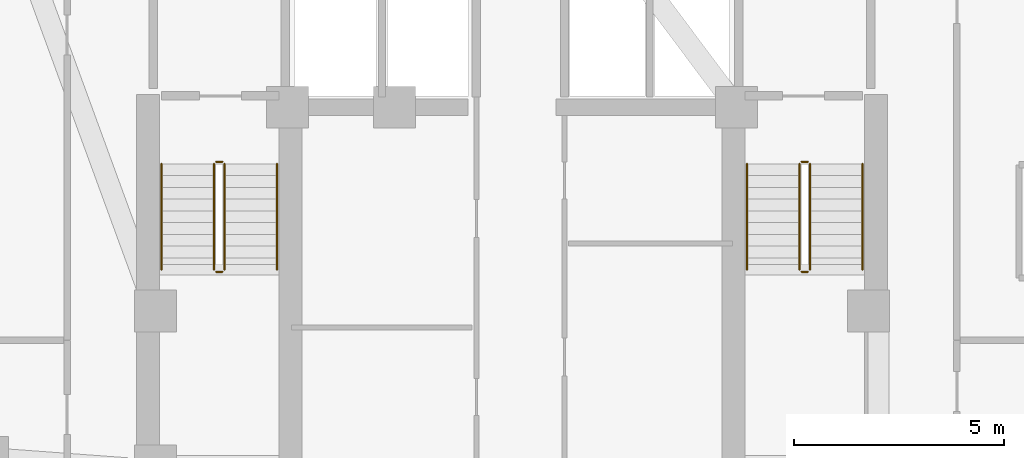
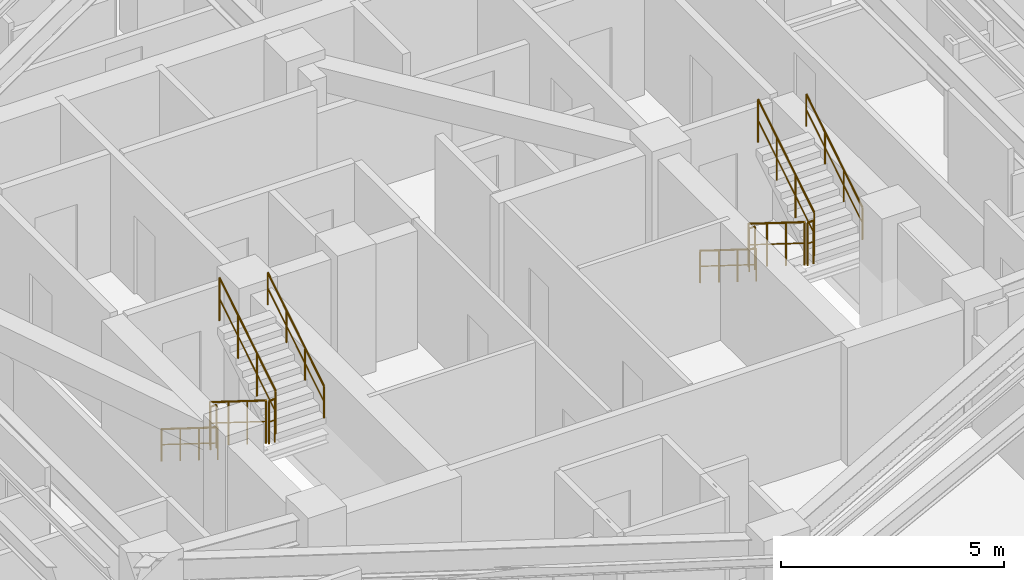
# One storey, part 14 of 14: 12 railings.
"""IFC4 building model written with IfcOpenShell, lengths in metres."""

from ifc_helpers import new_model, si_unit, direction, frame, origin, origin_2d, place, context, subcontext, project, spatial, circle, extrude, material, type_object, element, save


model = new_model("IFC4")

# Units and contexts
model_context = context("Model", 3, precision=1e-05, world=origin(), true_north=direction((0.0, 1.0)))
body_context = subcontext(model_context, "Body", "Model", "MODEL_VIEW")
ifc_project = project(units=[si_unit("LENGTHUNIT", "METRE"), si_unit("AREAUNIT", "SQUARE_METRE"), si_unit("VOLUMEUNIT", "CUBIC_METRE"), si_unit("PLANEANGLEUNIT", "RADIAN"), si_unit("MASSUNIT", "GRAM", prefix="KILO")], contexts=[model_context])

# Site, building, storey
site_placement = place(None, origin())
site = spatial("IfcSite", under=ifc_project, at=site_placement, CompositionType="ELEMENT")
building_placement = place(site_placement, origin())
building = spatial("IfcBuilding", under=site, at=building_placement, Name="Miruveldt Soraemaru", CompositionType="ELEMENT")
storey_placement = place(building_placement, frame((0.0, 0.0, 128.39990234375)))
storey = spatial("IfcBuildingStorey", under=building, at=storey_placement, Name="L35", CompositionType="ELEMENT", Elevation=128.39990234375)

# Railings
ifc_material = material(Name="Steel S355 (355 MPa)", Category="steel")
railing_type_1 = type_object("IfcRailingType", Name="RAIL-HR-900", PredefinedType="HANDRAIL", material=ifc_material)
railing_1_placement = place(storey_placement, frame((35.64990234375, 42.699951171875, 0.175048828125)))
element("IfcRailing", 1, at=railing_1_placement, inside=storey, type_object=railing_type_1, Name="L35 ST-1 stair handrail 1", PredefinedType="HANDRAIL", context=body_context, shape_type="SweptSolid", body=[
    extrude(circle(Radius=0.02392578125, at=origin_2d()), frame((0.0, 0.0, 0.8759765625), z_axis=(0.0, -0.848007534815, 0.529984170421), x_axis=(1.0, 0.0, 0.0)), (0.0, 0.0, 1.0), 2.9716796875),
    extrude(circle(Radius=0.01611328125, at=origin_2d()), frame((0.0, 0.0, 0.449951171875), z_axis=(0.0, -0.848007534815, 0.529984170421), x_axis=(1.0, 0.0, 0.0)), (0.0, 0.0, 1.0), 2.9716796875),
    extrude(circle(Radius=0.02099609375, at=origin_2d()), origin(), (0.0, 0.0, 1.0), 0.851806640625),
    extrude(circle(Radius=0.02099609375, at=origin_2d()), frame((0.0, -0.840087890625, 0.52490234375)), (0.0, 0.0, 1.0), 0.851806640625),
    extrude(circle(Radius=0.02099609375, at=origin_2d()), frame((0.0, -1.679931640625, 1.050048828125)), (0.0, 0.0, 1.0), 0.851806640625),
    extrude(circle(Radius=0.02099609375, at=origin_2d()), frame((0.0, -2.52001953125, 1.574951171875)), (0.0, 0.0, 1.0), 0.851806640625),
])
railing_2_placement = place(storey_placement, frame((38.39990234375, 40.179931640625, 1.925048828125)))
element("IfcRailing", 2, at=railing_2_placement, inside=storey, type_object=railing_type_1, Name="L35 ST-1 stair handrail 2", PredefinedType="HANDRAIL", context=body_context, shape_type="SweptSolid", body=[
    extrude(circle(Radius=0.02392578125, at=origin_2d()), frame((0.0, 0.0, 0.8759765625), z_axis=(0.0, 0.848007534815, 0.529984170421), x_axis=(-1.0, 0.0, 0.0)), (0.0, 0.0, 1.0), 2.9716796875),
    extrude(circle(Radius=0.01611328125, at=origin_2d()), frame((0.0, 0.0, 0.449951171875), z_axis=(0.0, 0.848007534815, 0.529984170421), x_axis=(-1.0, 0.0, 0.0)), (0.0, 0.0, 1.0), 2.9716796875),
    extrude(circle(Radius=0.02099609375, at=origin_2d()), origin(), (0.0, 0.0, 1.0), 0.851806640625),
    extrude(circle(Radius=0.02099609375, at=origin_2d()), frame((0.0, 0.840087890625, 0.52490234375)), (0.0, 0.0, 1.0), 0.851806640625),
    extrude(circle(Radius=0.02099609375, at=origin_2d()), frame((0.0, 1.679931640625, 1.050048828125)), (0.0, 0.0, 1.0), 0.851806640625),
    extrude(circle(Radius=0.02099609375, at=origin_2d()), frame((0.0, 2.52001953125, 1.574951171875)), (0.0, 0.0, 1.0), 0.851806640625),
])
railing_3_placement = place(storey_placement, frame((49.60009765625, 42.699951171875, 0.175048828125)))
element("IfcRailing", 3, at=railing_3_placement, inside=storey, type_object=railing_type_1, Name="L35 ST-2 stair handrail 1", PredefinedType="HANDRAIL", context=body_context, shape_type="SweptSolid", body=[
    extrude(circle(Radius=0.02392578125, at=origin_2d()), frame((0.0, 0.0, 0.8759765625), z_axis=(0.0, -0.848007534815, 0.529984170421), x_axis=(1.0, 0.0, 0.0)), (0.0, 0.0, 1.0), 2.9716796875),
    extrude(circle(Radius=0.01611328125, at=origin_2d()), frame((0.0, 0.0, 0.449951171875), z_axis=(0.0, -0.848007534815, 0.529984170421), x_axis=(1.0, 0.0, 0.0)), (0.0, 0.0, 1.0), 2.9716796875),
    extrude(circle(Radius=0.02099609375, at=origin_2d()), origin(), (0.0, 0.0, 1.0), 0.851806640625),
    extrude(circle(Radius=0.02099609375, at=origin_2d()), frame((0.0, -0.840087890625, 0.52490234375)), (0.0, 0.0, 1.0), 0.851806640625),
    extrude(circle(Radius=0.02099609375, at=origin_2d()), frame((0.0, -1.679931640625, 1.050048828125)), (0.0, 0.0, 1.0), 0.851806640625),
    extrude(circle(Radius=0.02099609375, at=origin_2d()), frame((0.0, -2.52001953125, 1.574951171875)), (0.0, 0.0, 1.0), 0.851806640625),
])
railing_4_placement = place(storey_placement, frame((52.35009765625, 40.179931640625, 1.925048828125)))
element("IfcRailing", 4, at=railing_4_placement, inside=storey, type_object=railing_type_1, Name="L35 ST-2 stair handrail 2", PredefinedType="HANDRAIL", context=body_context, shape_type="SweptSolid", body=[
    extrude(circle(Radius=0.02392578125, at=origin_2d()), frame((0.0, 0.0, 0.8759765625), z_axis=(0.0, 0.848007534815, 0.529984170421), x_axis=(-1.0, 0.0, 0.0)), (0.0, 0.0, 1.0), 2.9716796875),
    extrude(circle(Radius=0.01611328125, at=origin_2d()), frame((0.0, 0.0, 0.449951171875), z_axis=(0.0, 0.848007534815, 0.529984170421), x_axis=(-1.0, 0.0, 0.0)), (0.0, 0.0, 1.0), 2.9716796875),
    extrude(circle(Radius=0.02099609375, at=origin_2d()), origin(), (0.0, 0.0, 1.0), 0.851806640625),
    extrude(circle(Radius=0.02099609375, at=origin_2d()), frame((0.0, 0.840087890625, 0.52490234375)), (0.0, 0.0, 1.0), 0.851806640625),
    extrude(circle(Radius=0.02099609375, at=origin_2d()), frame((0.0, 1.679931640625, 1.050048828125)), (0.0, 0.0, 1.0), 0.851806640625),
    extrude(circle(Radius=0.02099609375, at=origin_2d()), frame((0.0, 2.52001953125, 1.574951171875)), (0.0, 0.0, 1.0), 0.851806640625),
])
railing_type_2 = type_object("IfcRailingType", Name="RAIL-STGUARD-1200", PredefinedType="GUARDRAIL", material=ifc_material)
railing_5_placement = place(storey_placement, frame((36.89990234375, 42.699951171875, 0.175048828125)))
element("IfcRailing", 5, at=railing_5_placement, inside=storey, type_object=railing_type_2, Name="L35 ST-1 stair guard 1", PredefinedType="GUARDRAIL", context=body_context, shape_type="SweptSolid", body=[
    extrude(circle(Radius=0.02392578125, at=origin_2d()), frame((0.0, 0.0, 1.17578125), z_axis=(0.0, -0.848007534815, 0.529984170421), x_axis=(1.0, 0.0, 0.0)), (0.0, 0.0, 1.0), 2.9716796875),
    extrude(circle(Radius=0.01611328125, at=origin_2d()), frame((0.0, 0.0, 0.60009765625), z_axis=(0.0, -0.848007534815, 0.529984170421), x_axis=(1.0, 0.0, 0.0)), (0.0, 0.0, 1.0), 2.9716796875),
    extrude(circle(Radius=0.02099609375, at=origin_2d()), origin(), (0.0, 0.0, 1.0), 1.15185546875),
    extrude(circle(Radius=0.02099609375, at=origin_2d()), frame((0.0, -0.840087890625, 0.52490234375)), (0.0, 0.0, 1.0), 1.15185546875),
    extrude(circle(Radius=0.02099609375, at=origin_2d()), frame((0.0, -1.679931640625, 1.050048828125)), (0.0, 0.0, 1.0), 1.15185546875),
    extrude(circle(Radius=0.02099609375, at=origin_2d()), frame((0.0, -2.52001953125, 1.574951171875)), (0.0, 0.0, 1.0), 1.15185546875),
])
railing_6_placement = place(storey_placement, frame((36.949951171875, 40.1298828125, 1.75)))
element("IfcRailing", 6, at=railing_6_placement, inside=storey, type_object=railing_type_2, Name="L35 ST-1 stair guard 2", PredefinedType="GUARDRAIL", context=body_context, shape_type="SweptSolid", body=[
    extrude(circle(Radius=0.02392578125, at=origin_2d()), frame((0.0, 0.0, 1.17578125), z_axis=(1.0, 0.0, 0.0), x_axis=(0.0, 1.0, 0.0)), (0.0, 0.0, 1.0), 0.150146484375),
    extrude(circle(Radius=0.01611328125, at=origin_2d()), frame((0.0, 0.0, 0.60009765625), z_axis=(1.0, 0.0, 0.0), x_axis=(0.0, 1.0, 0.0)), (0.0, 0.0, 1.0), 0.150146484375),
    extrude(circle(Radius=0.02099609375, at=origin_2d()), origin(), (0.0, 0.0, 1.0), 1.15185546875),
    extrude(circle(Radius=0.02099609375, at=origin_2d()), frame((0.150146484375, 0.0, 0.0)), (0.0, 0.0, 1.0), 1.15185546875),
])
railing_7_placement = place(storey_placement, frame((37.14990234375, 40.179931640625, 1.925048828125)))
element("IfcRailing", 7, at=railing_7_placement, inside=storey, type_object=railing_type_2, Name="L35 ST-1 stair guard 3", PredefinedType="GUARDRAIL", context=body_context, shape_type="SweptSolid", body=[
    extrude(circle(Radius=0.02392578125, at=origin_2d()), frame((0.0, 0.0, 1.17578125), z_axis=(0.0, 0.848007534815, 0.529984170421), x_axis=(-1.0, 0.0, 0.0)), (0.0, 0.0, 1.0), 2.9716796875),
    extrude(circle(Radius=0.01611328125, at=origin_2d()), frame((0.0, 0.0, 0.60009765625), z_axis=(0.0, 0.848007534815, 0.529984170421), x_axis=(-1.0, 0.0, 0.0)), (0.0, 0.0, 1.0), 2.9716796875),
    extrude(circle(Radius=0.02099609375, at=origin_2d()), origin(), (0.0, 0.0, 1.0), 1.15185546875),
    extrude(circle(Radius=0.02099609375, at=origin_2d()), frame((0.0, 0.840087890625, 0.52490234375)), (0.0, 0.0, 1.0), 1.15185546875),
    extrude(circle(Radius=0.02099609375, at=origin_2d()), frame((0.0, 1.679931640625, 1.050048828125)), (0.0, 0.0, 1.0), 1.15185546875),
    extrude(circle(Radius=0.02099609375, at=origin_2d()), frame((0.0, 2.52001953125, 1.574951171875)), (0.0, 0.0, 1.0), 1.15185546875),
])
railing_8_placement = place(storey_placement, frame((36.949951171875, 42.75, 0.0)))
element("IfcRailing", 8, at=railing_8_placement, inside=storey, type_object=railing_type_2, Name="L35 ST-1 stair guard 4", PredefinedType="GUARDRAIL", context=body_context, shape_type="SweptSolid", body=[
    extrude(circle(Radius=0.02392578125, at=origin_2d()), frame((0.0, 0.0, 1.17578125), z_axis=(1.0, 0.0, 0.0), x_axis=(0.0, 1.0, 0.0)), (0.0, 0.0, 1.0), 0.150146484375),
    extrude(circle(Radius=0.01611328125, at=origin_2d()), frame((0.0, 0.0, 0.60009765625), z_axis=(1.0, 0.0, 0.0), x_axis=(0.0, 1.0, 0.0)), (0.0, 0.0, 1.0), 0.150146484375),
    extrude(circle(Radius=0.02099609375, at=origin_2d()), origin(), (0.0, 0.0, 1.0), 1.15185546875),
    extrude(circle(Radius=0.02099609375, at=origin_2d()), frame((0.150146484375, 0.0, 0.0)), (0.0, 0.0, 1.0), 1.15185546875),
])
railing_9_placement = place(storey_placement, frame((50.85009765625, 42.699951171875, 0.175048828125)))
element("IfcRailing", 9, at=railing_9_placement, inside=storey, type_object=railing_type_2, Name="L35 ST-2 stair guard 1", PredefinedType="GUARDRAIL", context=body_context, shape_type="SweptSolid", body=[
    extrude(circle(Radius=0.02392578125, at=origin_2d()), frame((0.0, 0.0, 1.17578125), z_axis=(0.0, -0.848007534815, 0.529984170421), x_axis=(1.0, 0.0, 0.0)), (0.0, 0.0, 1.0), 2.9716796875),
    extrude(circle(Radius=0.01611328125, at=origin_2d()), frame((0.0, 0.0, 0.60009765625), z_axis=(0.0, -0.848007534815, 0.529984170421), x_axis=(1.0, 0.0, 0.0)), (0.0, 0.0, 1.0), 2.9716796875),
    extrude(circle(Radius=0.02099609375, at=origin_2d()), origin(), (0.0, 0.0, 1.0), 1.15185546875),
    extrude(circle(Radius=0.02099609375, at=origin_2d()), frame((0.0, -0.840087890625, 0.52490234375)), (0.0, 0.0, 1.0), 1.15185546875),
    extrude(circle(Radius=0.02099609375, at=origin_2d()), frame((0.0, -1.679931640625, 1.050048828125)), (0.0, 0.0, 1.0), 1.15185546875),
    extrude(circle(Radius=0.02099609375, at=origin_2d()), frame((0.0, -2.52001953125, 1.574951171875)), (0.0, 0.0, 1.0), 1.15185546875),
])
railing_10_placement = place(storey_placement, frame((50.89990234375, 40.1298828125, 1.75)))
element("IfcRailing", 10, at=railing_10_placement, inside=storey, type_object=railing_type_2, Name="L35 ST-2 stair guard 2", PredefinedType="GUARDRAIL", context=body_context, shape_type="SweptSolid", body=[
    extrude(circle(Radius=0.02392578125, at=origin_2d()), frame((0.0, 0.0, 1.17578125), z_axis=(1.0, 0.0, 0.0), x_axis=(0.0, 1.0, 0.0)), (0.0, 0.0, 1.0), 0.150146484375),
    extrude(circle(Radius=0.01611328125, at=origin_2d()), frame((0.0, 0.0, 0.60009765625), z_axis=(1.0, 0.0, 0.0), x_axis=(0.0, 1.0, 0.0)), (0.0, 0.0, 1.0), 0.150146484375),
    extrude(circle(Radius=0.02099609375, at=origin_2d()), origin(), (0.0, 0.0, 1.0), 1.15185546875),
    extrude(circle(Radius=0.02099609375, at=origin_2d()), frame((0.150146484375, 0.0, 0.0)), (0.0, 0.0, 1.0), 1.15185546875),
])
railing_11_placement = place(storey_placement, frame((51.10009765625, 40.179931640625, 1.925048828125)))
element("IfcRailing", 11, at=railing_11_placement, inside=storey, type_object=railing_type_2, Name="L35 ST-2 stair guard 3", PredefinedType="GUARDRAIL", context=body_context, shape_type="SweptSolid", body=[
    extrude(circle(Radius=0.02392578125, at=origin_2d()), frame((0.0, 0.0, 1.17578125), z_axis=(0.0, 0.848007534815, 0.529984170421), x_axis=(-1.0, 0.0, 0.0)), (0.0, 0.0, 1.0), 2.9716796875),
    extrude(circle(Radius=0.01611328125, at=origin_2d()), frame((0.0, 0.0, 0.60009765625), z_axis=(0.0, 0.848007534815, 0.529984170421), x_axis=(-1.0, 0.0, 0.0)), (0.0, 0.0, 1.0), 2.9716796875),
    extrude(circle(Radius=0.02099609375, at=origin_2d()), origin(), (0.0, 0.0, 1.0), 1.15185546875),
    extrude(circle(Radius=0.02099609375, at=origin_2d()), frame((0.0, 0.840087890625, 0.52490234375)), (0.0, 0.0, 1.0), 1.15185546875),
    extrude(circle(Radius=0.02099609375, at=origin_2d()), frame((0.0, 1.679931640625, 1.050048828125)), (0.0, 0.0, 1.0), 1.15185546875),
    extrude(circle(Radius=0.02099609375, at=origin_2d()), frame((0.0, 2.52001953125, 1.574951171875)), (0.0, 0.0, 1.0), 1.15185546875),
])
railing_12_placement = place(storey_placement, frame((50.89990234375, 42.75, 0.0)))
element("IfcRailing", 12, at=railing_12_placement, inside=storey, type_object=railing_type_2, Name="L35 ST-2 stair guard 4", PredefinedType="GUARDRAIL", context=body_context, shape_type="SweptSolid", body=[
    extrude(circle(Radius=0.02392578125, at=origin_2d()), frame((0.0, 0.0, 1.17578125), z_axis=(1.0, 0.0, 0.0), x_axis=(0.0, 1.0, 0.0)), (0.0, 0.0, 1.0), 0.150146484375),
    extrude(circle(Radius=0.01611328125, at=origin_2d()), frame((0.0, 0.0, 0.60009765625), z_axis=(1.0, 0.0, 0.0), x_axis=(0.0, 1.0, 0.0)), (0.0, 0.0, 1.0), 0.150146484375),
    extrude(circle(Radius=0.02099609375, at=origin_2d()), origin(), (0.0, 0.0, 1.0), 1.15185546875),
    extrude(circle(Radius=0.02099609375, at=origin_2d()), frame((0.150146484375, 0.0, 0.0)), (0.0, 0.0, 1.0), 1.15185546875),
])

save(model, "model.ifc")
